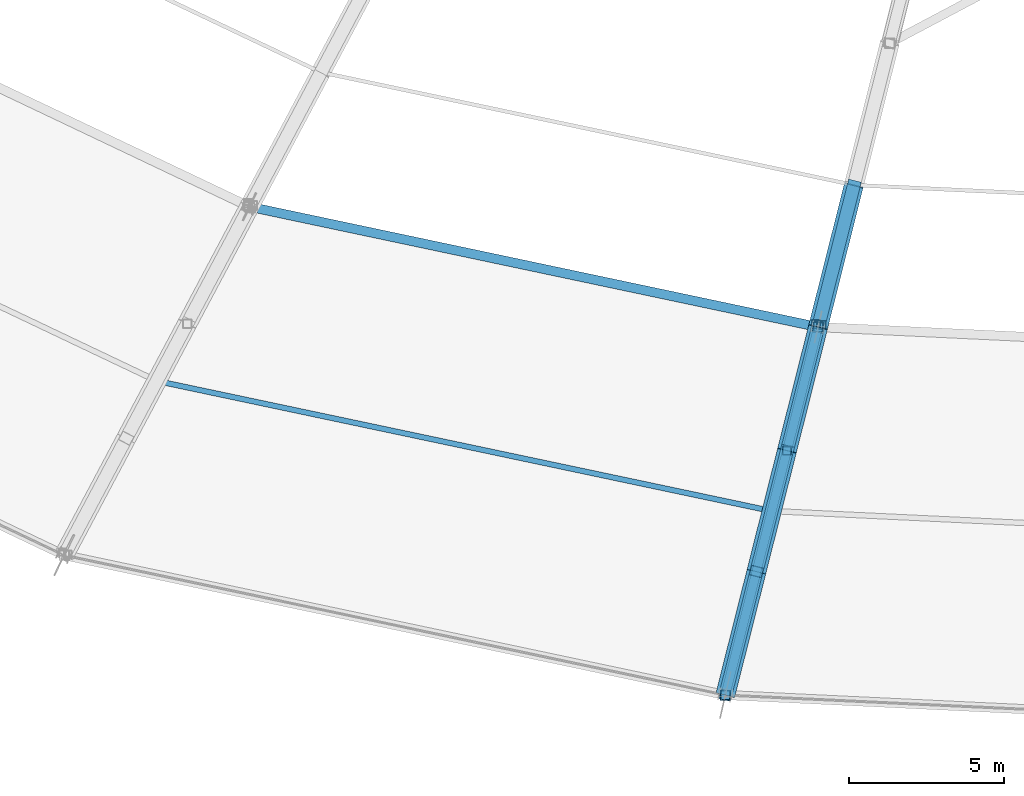
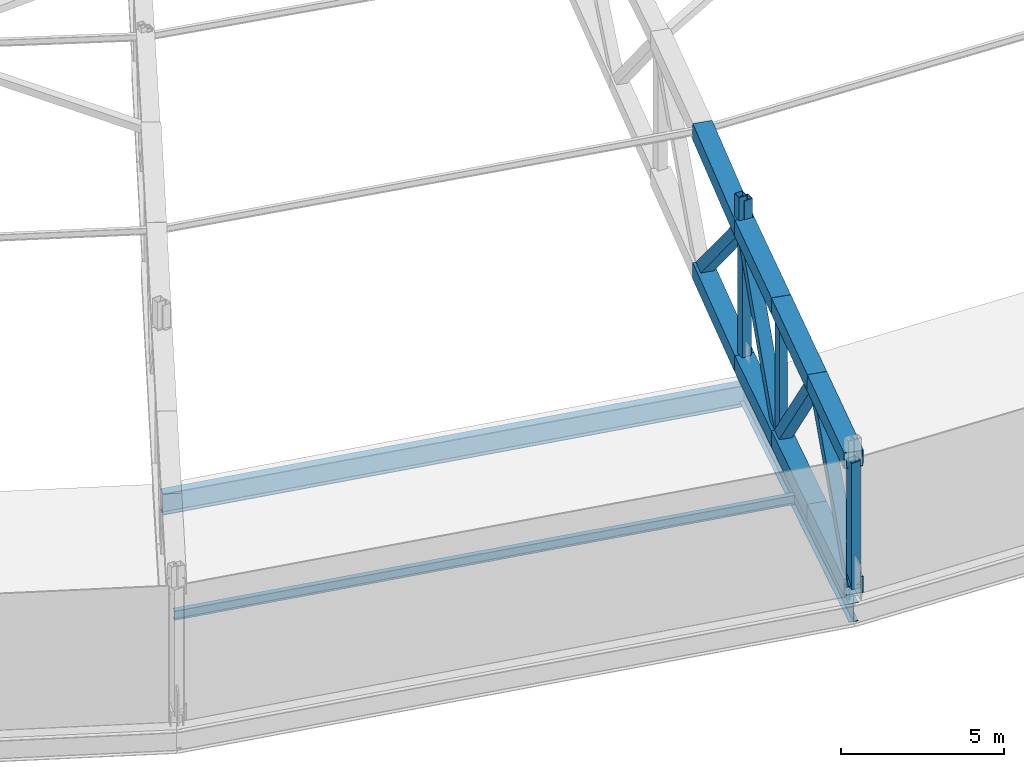
# One storey, part 25 of 162: 17 members, 3 beams.
"""IFC4 building model written with IfcOpenShell, lengths in metres."""

from ifc_helpers import new_model, si_unit, direction, frame, origin, origin_2d, place, context, subcontext, project, spatial, hollow_rectangle, i_section, extrude, material, material_profile, profile_set, type_object, element, save


model = new_model("IFC4")

# Units and contexts
model_context = context("Model", 3, precision=1e-05, world=origin(), true_north=direction((0.0, 1.0)))
body_context = subcontext(model_context, "Body", "Model", "MODEL_VIEW")
ifc_project = project(units=[si_unit("LENGTHUNIT", "METRE"), si_unit("AREAUNIT", "SQUARE_METRE"), si_unit("VOLUMEUNIT", "CUBIC_METRE"), si_unit("PLANEANGLEUNIT", "RADIAN"), si_unit("MASSUNIT", "GRAM", prefix="KILO")], contexts=[model_context])

# Site, building, storey
site_placement = place(None, origin())
site = spatial("IfcSite", under=ifc_project, at=site_placement, CompositionType="ELEMENT")
building_placement = place(site_placement, origin())
building = spatial("IfcBuilding", under=site, at=building_placement, Name="Kazemori Nagisa Stadium", CompositionType="ELEMENT")
storey_placement = place(building_placement, frame((0.0, 0.0, 36.719970703125)))
storey = spatial("IfcBuildingStorey", under=building, at=storey_placement, Name="RF", CompositionType="ELEMENT", Elevation=36.719970703125)

# Beams
ifc_material_1 = material(Name="Steel SN490B", Category="steel")
ifc_material_profile_1 = material_profile(ifc_material_1, i_section(OverallWidth=0.300048828125, OverallDepth=0.699951171875, WebThickness=0.012939453125, FlangeThickness=0.02392578125, FilletRadius=0.01806640625, at=origin_2d()), Name="H-700x300x13x24")
ifc_profile_set_1 = profile_set([ifc_material_profile_1], Name="Steel SN490B")
beam_type_1 = type_object("IfcBeamType", Name="Beam_BG-H700", PredefinedType="BEAM", material=ifc_profile_set_1)
beam_1_placement = place(storey_placement, frame((104.572265625, 28.911376953125, -0.6298828125), z_axis=(-0.244487324834, -0.969652488263, 0.0), x_axis=(0.969652488263, -0.244487324834, 0.0)))
element("IfcBeam", 1, at=beam_1_placement, inside=storey, type_object=beam_type_1, Name="Radial girder BG-H700 RF R2-R3-21", PredefinedType="BEAM", context=body_context, shape_type="SweptSolid", body=[
    extrude(i_section(OverallWidth=0.300048828125, OverallDepth=0.699951171875, WebThickness=0.012939453125, FlangeThickness=0.02392578125, FilletRadius=0.01806640625, at=origin_2d()), origin(), (0.0, 0.0, 1.0), 12.2705078125),
])
ifc_material_profile_2 = material_profile(ifc_material_1, i_section(OverallWidth=0.300048828125, OverallDepth=0.800048828125, WebThickness=0.013916015625, FlangeThickness=0.02587890625, FilletRadius=0.01806640625, at=origin_2d()), Name="H-800x300x14x26")
ifc_profile_set_2 = profile_set([ifc_material_profile_2], Name="Steel SN490B")
beam_type_2 = type_object("IfcBeamType", Name="Beam_BG-H800", PredefinedType="BEAM", material=ifc_profile_set_2)
beam_2_placement = place(storey_placement, frame((86.18798828125, 32.80078125, -0.679931640625), z_axis=(0.978345149833, -0.206980114499, 0.0), x_axis=(0.206980114499, 0.978345149833, 0.0)))
element("IfcBeam", 2, at=beam_2_placement, inside=storey, type_object=beam_type_2, Name="Ring girder BG-H800 RF R2-20", PredefinedType="BEAM", context=body_context, shape_type="SweptSolid", body=[
    extrude(i_section(OverallWidth=0.300048828125, OverallDepth=0.800048828125, WebThickness=0.013916015625, FlangeThickness=0.02587890625, FilletRadius=0.01806640625, at=origin_2d()), origin(), (0.0, 0.0, 1.0), 18.791259765625),
])
ifc_material_profile_3 = material_profile(ifc_material_1, i_section(OverallWidth=0.175048828125, OverallDepth=0.35009765625, WebThickness=0.007080078125, FlangeThickness=0.010986328125, FilletRadius=0.012939453125, at=origin_2d()), Name="H-350x175x7x11")
ifc_profile_set_3 = profile_set([ifc_material_profile_3], Name="Steel SN490B")
beam_type_3 = type_object("IfcBeamType", Name="Beam_BJ-H350", PredefinedType="JOIST", material=ifc_profile_set_3)
beam_3_placement = place(storey_placement, frame((83.33349609375, 27.13818359375, -0.455078125), z_axis=(0.978344719644, -0.20698214789, 0.0), x_axis=(0.20698214789, 0.978344719644, 0.0)))
element("IfcBeam", 3, at=beam_3_placement, inside=storey, type_object=beam_type_3, Name="Outer bay joist BJ-H350 RF B20", PredefinedType="JOIST", context=body_context, shape_type="SweptSolid", body=[
    extrude(i_section(OverallWidth=0.175048828125, OverallDepth=0.35009765625, WebThickness=0.007080078125, FlangeThickness=0.010986328125, FilletRadius=0.012939453125, at=origin_2d()), origin(), (0.0, 0.0, 1.0), 20.03076171875),
])

# Members
ifc_material_2 = material(Name="Steel STKR490", Category="steel")
ifc_material_profile_4 = material_profile(ifc_material_2, hollow_rectangle(XDim=0.280029296875, YDim=0.280029296875, WallThickness=0.010009765625, at=origin_2d()), Name="SHS-280x280x10")
ifc_profile_set_4 = profile_set([ifc_material_profile_4], Name="Steel STKR490")
member_type_1 = type_object("IfcMemberType", Name="Member_ST-SHS280", PredefinedType="STUD", material=ifc_profile_set_4)
member_1_placement = place(storey_placement, frame((104.49951171875, 29.0068359375, 5.56005859375), z_axis=(0.0, 0.0, 1.0), x_axis=(1.0, 0.0, 0.0)))
element("IfcMember", 4, at=member_1_placement, inside=storey, type_object=member_type_1, Name="Canopy bearing stool B20-mid-2", PredefinedType="STUD", context=body_context, shape_type="SweptSolid", body=[
    extrude(hollow_rectangle(XDim=0.280029296875, YDim=0.280029296875, WallThickness=0.010009765625, at=origin_2d()), origin(), (0.0, 0.0, 1.0), 1.175048828125),
])
member_2_placement = place(storey_placement, frame((104.673095703125, 28.976318359375, 5.56005859375), z_axis=(0.0, 0.0, 1.0), x_axis=(1.0, 0.0, 0.0)))
element("IfcMember", 5, at=member_2_placement, inside=storey, type_object=member_type_1, Name="Canopy bearing stool B21-mid-1", PredefinedType="STUD", context=body_context, shape_type="SweptSolid", body=[
    extrude(hollow_rectangle(XDim=0.280029296875, YDim=0.280029296875, WallThickness=0.010009765625, at=origin_2d()), origin(), (0.0, 0.0, 1.0), 1.02099609375),
])
ifc_material_profile_5 = material_profile(ifc_material_2, hollow_rectangle(XDim=0.419921875, YDim=0.419921875, WallThickness=0.01611328125, at=origin_2d()), Name="SHS-420x420x16")
ifc_profile_set_5 = profile_set([ifc_material_profile_5], Name="Steel STKR490")
member_type_2 = type_object("IfcMemberType", Name="Member_TB-SHS420", PredefinedType="BRACE", material=ifc_profile_set_5)
member_3_placement = place(storey_placement, frame((101.572265625, 17.01318359375, 0.360107421875), z_axis=(0.1573210016, 0.623982765376, 0.76543818233), x_axis=(-0.969655974534, 0.244473497644, 0.0)))
element("IfcMember", 6, at=member_3_placement, inside=storey, type_object=member_type_2, Name="Roof space truss diagonal RT-21-1", PredefinedType="BRACE", context=body_context, shape_type="SweptSolid", body=[
    extrude(hollow_rectangle(XDim=0.419921875, YDim=0.419921875, WallThickness=0.01611328125, at=origin_2d()), origin(), (0.0, 0.0, 1.0), 6.4013671875),
])
member_4_placement = place(storey_placement, frame((102.579345703125, 21.007568359375, 5.260009765625), z_axis=(0.156881185303, 0.622124423045, -0.76703943572), x_axis=(-0.969645363657, 0.244515579744, 0.0)))
element("IfcMember", 7, at=member_4_placement, inside=storey, type_object=member_type_2, Name="Roof space truss diagonal RT-21-2", PredefinedType="BRACE", context=body_context, shape_type="SweptSolid", body=[
    extrude(hollow_rectangle(XDim=0.419921875, YDim=0.419921875, WallThickness=0.01611328125, at=origin_2d()), origin(), (0.0, 0.0, 1.0), 6.283935546875),
])
member_5_placement = place(storey_placement, frame((103.565185546875, 24.9169921875, 0.43994140625), z_axis=(0.153249104507, 0.607832387599, 0.779137022964), x_axis=(-0.969655974534, 0.244473497644, 0.0)))
element("IfcMember", 8, at=member_5_placement, inside=storey, type_object=member_type_2, Name="Roof space truss diagonal RT-21-3", PredefinedType="BRACE", context=body_context, shape_type="SweptSolid", body=[
    extrude(hollow_rectangle(XDim=0.419921875, YDim=0.419921875, WallThickness=0.01611328125, at=origin_2d()), origin(), (0.0, 0.0, 1.0), 6.571533203125),
])
member_6_placement = place(storey_placement, frame((104.572265625, 28.911376953125, 5.56005859375), z_axis=(0.172032146283, 0.682392970212, -0.710453921694), x_axis=(-0.969661184378, 0.244452832895, 0.0)))
element("IfcMember", 9, at=member_6_placement, inside=storey, type_object=member_type_2, Name="Roof space truss diagonal RT-21-4", PredefinedType="BRACE", context=body_context, shape_type="SweptSolid", body=[
    extrude(hollow_rectangle(XDim=0.419921875, YDim=0.419921875, WallThickness=0.01611328125, at=origin_2d()), origin(), (0.0, 0.0, 1.0), 6.725341796875),
])
ifc_material_profile_6 = material_profile(ifc_material_2, hollow_rectangle(XDim=0.6201171875, YDim=0.6201171875, WallThickness=0.02197265625, at=origin_2d()), Name="SHS-620x620x22")
ifc_profile_set_6 = profile_set([ifc_material_profile_6], Name="Steel STKR490")
member_type_3 = type_object("IfcMemberType", Name="Member_TC-SHS620", PredefinedType="CHORD", material=ifc_profile_set_6)
member_7_placement = place(storey_placement, frame((101.572265625, 17.01318359375, 5.10009765625), z_axis=(0.244289501149, 0.968926188677, 0.038790211698), x_axis=(-0.969655974534, 0.244473497644, 0.0)))
element("IfcMember", 10, at=member_7_placement, inside=storey, type_object=member_type_3, Name="Roof space truss top chord RT-21-1", PredefinedType="CHORD", context=body_context, shape_type="SweptSolid", body=[
    extrude(hollow_rectangle(XDim=0.6201171875, YDim=0.6201171875, WallThickness=0.02197265625, at=origin_2d()), origin(), (0.0, 0.0, 1.0), 4.12255859375),
])
member_8_placement = place(storey_placement, frame((101.572265625, 17.01318359375, 0.360107421875), z_axis=(0.244461950505, 0.969610175083, 0.009719214517), x_axis=(-0.969655974534, 0.244473497644, 0.0)))
element("IfcMember", 11, at=member_8_placement, inside=storey, type_object=member_type_3, Name="Roof space truss bottom chord RT-21-1", PredefinedType="CHORD", context=body_context, shape_type="SweptSolid", body=[
    extrude(hollow_rectangle(XDim=0.6201171875, YDim=0.6201171875, WallThickness=0.02197265625, at=origin_2d()), origin(), (0.0, 0.0, 1.0), 4.11962890625),
])
member_9_placement = place(storey_placement, frame((102.579345703125, 21.007568359375, 5.260009765625), z_axis=(0.244323479661, 0.968883575982, 0.039631470822), x_axis=(-0.969645363657, 0.244515579744, 0.0)))
element("IfcMember", 12, at=member_9_placement, inside=storey, type_object=member_type_3, Name="Roof space truss top chord RT-21-2", PredefinedType="CHORD", context=body_context, shape_type="SweptSolid", body=[
    extrude(hollow_rectangle(XDim=0.6201171875, YDim=0.6201171875, WallThickness=0.02197265625, at=origin_2d()), origin(), (0.0, 0.0, 1.0), 4.034912109375),
])
member_10_placement = place(storey_placement, frame((102.579345703125, 21.007568359375, 0.400146484375), z_axis=(0.244503670054, 0.969598134864, 0.009869761817), x_axis=(-0.969645363657, 0.244515579744, 0.0)))
element("IfcMember", 13, at=member_10_placement, inside=storey, type_object=member_type_3, Name="Roof space truss bottom chord RT-21-2", PredefinedType="CHORD", context=body_context, shape_type="SweptSolid", body=[
    extrude(hollow_rectangle(XDim=0.6201171875, YDim=0.6201171875, WallThickness=0.02197265625, at=origin_2d()), origin(), (0.0, 0.0, 1.0), 4.031982421875),
])
member_11_placement = place(storey_placement, frame((103.565185546875, 24.9169921875, 5.419921875), z_axis=(0.244332157838, 0.969095378035, 0.033999189963), x_axis=(-0.969655974534, 0.244473497644, 0.0)))
element("IfcMember", 14, at=member_11_placement, inside=storey, type_object=member_type_3, Name="Roof space truss top chord RT-21-3", PredefinedType="CHORD", context=body_context, shape_type="SweptSolid", body=[
    extrude(hollow_rectangle(XDim=0.6201171875, YDim=0.6201171875, WallThickness=0.02197265625, at=origin_2d()), origin(), (0.0, 0.0, 1.0), 4.121826171875),
])
member_12_placement = place(storey_placement, frame((103.565185546875, 24.9169921875, 0.43994140625), z_axis=(0.244461950505, 0.969610175083, 0.009719214517), x_axis=(-0.969655974534, 0.244473497644, 0.0)))
element("IfcMember", 15, at=member_12_placement, inside=storey, type_object=member_type_3, Name="Roof space truss bottom chord RT-21-3", PredefinedType="CHORD", context=body_context, shape_type="SweptSolid", body=[
    extrude(hollow_rectangle(XDim=0.6201171875, YDim=0.6201171875, WallThickness=0.02197265625, at=origin_2d()), origin(), (0.0, 0.0, 1.0), 4.11962890625),
])
member_13_placement = place(storey_placement, frame((104.572265625, 28.911376953125, 5.56005859375), z_axis=(0.243417400584, 0.965553976828, 0.091942845969), x_axis=(-0.969661184378, 0.244452832895, 0.0)))
element("IfcMember", 16, at=member_13_placement, inside=storey, type_object=member_type_3, Name="Roof space truss top chord RT-21-4", PredefinedType="CHORD", context=body_context, shape_type="SweptSolid", body=[
    extrude(hollow_rectangle(XDim=0.6201171875, YDim=0.6201171875, WallThickness=0.02197265625, at=origin_2d()), origin(), (0.0, 0.0, 1.0), 4.753173828125),
])
member_14_placement = place(storey_placement, frame((104.572265625, 28.911376953125, 0.47998046875), z_axis=(0.243956700597, 0.967693196418, 0.063678927757), x_axis=(-0.969661184378, 0.244452832895, 0.0)))
element("IfcMember", 17, at=member_14_placement, inside=storey, type_object=member_type_3, Name="Roof space truss bottom chord RT-21-4", PredefinedType="CHORD", context=body_context, shape_type="SweptSolid", body=[
    extrude(hollow_rectangle(XDim=0.6201171875, YDim=0.6201171875, WallThickness=0.02197265625, at=origin_2d()), origin(), (0.0, 0.0, 1.0), 4.74267578125),
])
ifc_material_profile_7 = material_profile(ifc_material_2, hollow_rectangle(XDim=0.280029296875, YDim=0.280029296875, WallThickness=0.010009765625, at=origin_2d()), Name="SHS-280x280x10")
ifc_profile_set_7 = profile_set([ifc_material_profile_7], Name="Steel STKR490")
member_type_4 = type_object("IfcMemberType", Name="Member_TS-SHS280", PredefinedType="STRUT", material=ifc_profile_set_7)
member_15_placement = place(storey_placement, frame((103.565185546875, 24.9169921875, 0.43994140625), z_axis=(0.0, 0.0, 1.0), x_axis=(1.0, 0.0, 0.0)))
element("IfcMember", 18, at=member_15_placement, inside=storey, type_object=member_type_4, Name="Roof space truss strut RT-21-3", PredefinedType="STRUT", context=body_context, shape_type="SweptSolid", body=[
    extrude(hollow_rectangle(XDim=0.280029296875, YDim=0.280029296875, WallThickness=0.010009765625, at=origin_2d()), origin(), (0.0, 0.0, 1.0), 4.97998046875),
])
ifc_material_profile_8 = material_profile(ifc_material_2, hollow_rectangle(XDim=0.320068359375, YDim=0.320068359375, WallThickness=0.011962890625, at=origin_2d()), Name="SHS-320x320x12")
ifc_profile_set_8 = profile_set([ifc_material_profile_8], Name="Steel STKR490")
member_type_5 = type_object("IfcMemberType", Name="Member_TS-SHS320", PredefinedType="STRUT", material=ifc_profile_set_8)
member_16_placement = place(storey_placement, frame((101.572265625, 17.01318359375, 0.360107421875), z_axis=(0.0, 0.0, 1.0), x_axis=(1.0, 0.0, 0.0)))
element("IfcMember", 19, at=member_16_placement, inside=storey, type_object=member_type_5, Name="Roof space truss strut RT-21-1", PredefinedType="STRUT", context=body_context, shape_type="SweptSolid", body=[
    extrude(hollow_rectangle(XDim=0.320068359375, YDim=0.320068359375, WallThickness=0.011962890625, at=origin_2d()), origin(), (0.0, 0.0, 1.0), 4.739990234375),
])
member_17_placement = place(storey_placement, frame((104.572265625, 28.911376953125, 0.47998046875), z_axis=(0.0, 0.0, 1.0), x_axis=(1.0, 0.0, 0.0)))
element("IfcMember", 20, at=member_17_placement, inside=storey, type_object=member_type_5, Name="Roof space truss strut RT-21-4", PredefinedType="STRUT", context=body_context, shape_type="SweptSolid", body=[
    extrude(hollow_rectangle(XDim=0.320068359375, YDim=0.320068359375, WallThickness=0.011962890625, at=origin_2d()), origin(), (0.0, 0.0, 1.0), 5.080078125),
])

save(model, "model.ifc")
